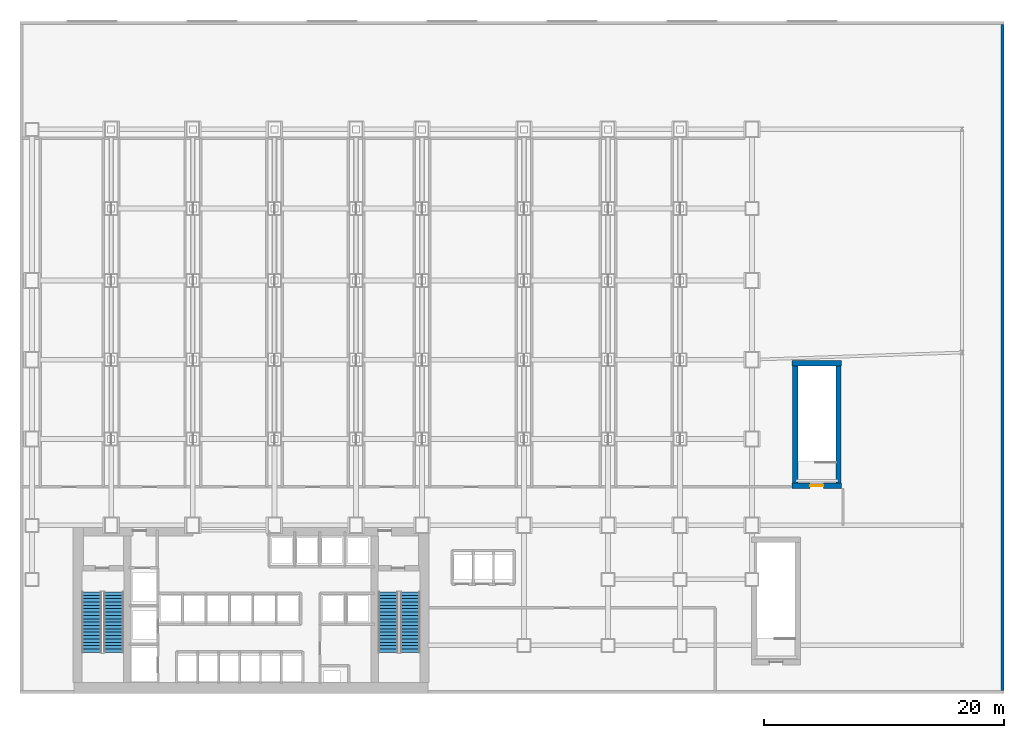
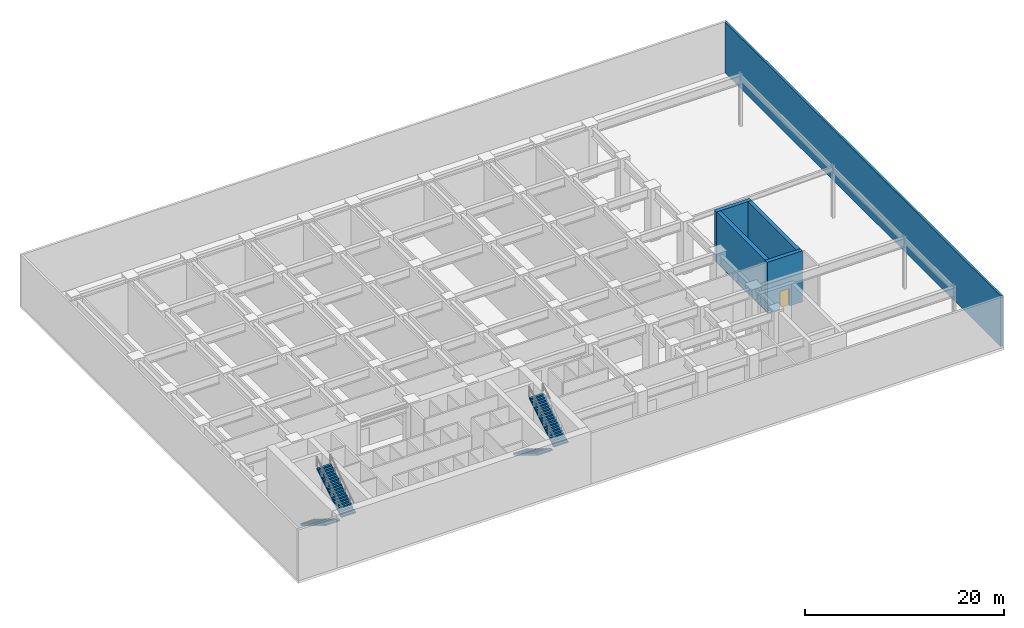
# One storey, part 13 of 15: 5 walls, 4 stair flights, 1 door, 1 opening, 2 elements without a shape of their own.
"""IFC4 building model written with IfcOpenShell, lengths in metres."""

import ifcopenshell
import ifcopenshell.guid

model = None  # the IFC model being written
_history = None  # IfcOwnerHistory: only IFC2X3 demands one
_inside = {}  # id of a spatial element -> (the spatial element, [elements in it])
_under = {}  # id of a project, library or spatial element -> (it, [spatial elements below it])
_declared = {}  # id of a project -> (the project, [libraries it declares])
_typed = {}  # id of a type object -> (the type object, [elements of that type])
_made_of = {}  # id of a material, layer set ... -> (it, [elements and type objects made of it])


def new_model(schema):
    """Start an empty IFC model of exactly this schema.

    Asked for "IFC4X3", IfcOpenShell would pick the latest addendum, in which some entities
    have other attributes; the version numbers below select the first issue.
    IFC2X3 requires an IfcOwnerHistory on every rooted entity: one is made here for all.
    """
    global model, _history
    if schema == "IFC4X3":
        model = ifcopenshell.file(schema_version=(4, 3, 0, 0))
    else:
        model = ifcopenshell.file(schema=schema)
    _inside.clear()
    _under.clear()
    _declared.clear()
    _typed.clear()
    _made_of.clear()
    _history = None
    if model.schema == "IFC2X3":
        org = make("IfcOrganization", Name="unknown")
        user = make(
            "IfcPersonAndOrganization",
            ThePerson=make("IfcPerson", FamilyName="unknown"),
            TheOrganization=org,
        )
        app = make(
            "IfcApplication",
            ApplicationDeveloper=org,
            Version="unknown",
            ApplicationFullName="unknown",
            ApplicationIdentifier="unknown",
        )
        _history = make(
            "IfcOwnerHistory",
            OwningUser=user,
            OwningApplication=app,
            ChangeAction="ADDED",
            CreationDate=0,
        )
    return model


def make(cls, **values):
    """One entity of the class cls with the attributes given. An attribute that is None is left unset."""
    return model.create_entity(
        cls, **{name: value for name, value in values.items() if value is not None}
    )


def rooted(cls, **values):
    """An entity with a GlobalId (a new one), such as an element, a storey or a relation."""
    return make(cls, GlobalId=ifcopenshell.guid.new(), OwnerHistory=_history, **values)


def si_unit(unit_type, name, prefix=None):
    """IfcSIUnit, for example si_unit("LENGTHUNIT", "METRE", prefix="MILLI")."""
    return make("IfcSIUnit", UnitType=unit_type, Prefix=prefix, Name=name)


def derived_unit(unit_type, elements):
    """IfcDerivedUnit: a product of units, each with its exponent."""
    return make(
        "IfcDerivedUnit",
        Elements=[
            make("IfcDerivedUnitElement", Unit=unit, Exponent=power)
            for unit, power in elements
        ],
        UnitType=unit_type,
    )


def assignment(units):
    """IfcUnitAssignment: the units of a project."""
    return None if units is None else make("IfcUnitAssignment", Units=units)


def point(xyz):
    """IfcCartesianPoint."""
    return None if xyz is None else make("IfcCartesianPoint", Coordinates=xyz)


def direction(xyz):
    """IfcDirection."""
    return None if xyz is None else make("IfcDirection", DirectionRatios=xyz)


def frame(location, z_axis=None, x_axis=None):
    """IfcAxis2Placement3D, a coordinate frame: its origin and axes. An axis left out is left unset."""
    return make(
        "IfcAxis2Placement3D",
        Location=point(location),
        Axis=direction(z_axis),
        RefDirection=direction(x_axis),
    )


def frame_2d(location, x_axis=None):
    """IfcAxis2Placement2D, a coordinate frame in the plane: its origin and x axis."""
    return make(
        "IfcAxis2Placement2D", Location=point(location), RefDirection=direction(x_axis)
    )


def origin():
    """The frame at (0, 0, 0) with its axes left unset."""
    return frame((0.0, 0.0, 0.0))


def place(relative_to, where):
    """IfcLocalPlacement: puts the frame where relative to a parent placement (None: the world)."""
    return make(
        "IfcLocalPlacement", PlacementRelTo=relative_to, RelativePlacement=where
    )


def context(
    kind, dimensions, precision=None, world=None, true_north=None, identifier=None
):
    """IfcGeometricRepresentationContext, for example the 3D "Model" context."""
    return make(
        "IfcGeometricRepresentationContext",
        ContextIdentifier=identifier,
        ContextType=kind,
        CoordinateSpaceDimension=dimensions,
        Precision=precision,
        WorldCoordinateSystem=world,
        TrueNorth=true_north,
    )


def subcontext(parent, identifier, kind, view, scale=None):
    """IfcGeometricRepresentationSubContext, for example "Body" below "Model"."""
    return make(
        "IfcGeometricRepresentationSubContext",
        ContextIdentifier=identifier,
        ContextType=kind,
        ParentContext=parent,
        TargetScale=scale,
        TargetView=view,
    )


def project(units=None, contexts=None):
    """IfcProject with its units and contexts."""
    return rooted(
        "IfcProject",
        Name="project",
        RepresentationContexts=contexts,
        UnitsInContext=assignment(units),
    )


def spatial(cls, under=None, at=None, **own):
    """A site, building, storey or space (cls), placed at a placement, below another one or the project."""
    s = rooted(cls, ObjectPlacement=at, **own)
    if under is not None:
        _under.setdefault(under.id(), (under, []))[1].append(s)
    return s


def polyline(points):
    """IfcPolyline through the points."""
    return make("IfcPolyline", Points=[point(p) for p in points])


def profile(cls, at=None, kind="AREA", **sizes):
    """A parametric profile (cls). Its sizes go by their IFC names, for example OverallWidth=200.0."""
    return make(cls, ProfileType=kind, Position=at, **sizes)


def rectangle(**sizes):
    """IfcRectangleProfileDef."""
    return profile("IfcRectangleProfileDef", **sizes)


def outline(outer, holes=None, kind="AREA"):
    """IfcArbitraryClosedProfileDef: a profile drawn as a closed curve; with holes, ...WithVoids."""
    if holes is None:
        return make("IfcArbitraryClosedProfileDef", ProfileType=kind, OuterCurve=outer)
    return make(
        "IfcArbitraryProfileDefWithVoids",
        ProfileType=kind,
        OuterCurve=outer,
        InnerCurves=holes,
    )


def extrude(swept, where, along, depth):
    """IfcExtrudedAreaSolid: the profile swept, set in the frame where, extruded along a direction by depth."""
    return make(
        "IfcExtrudedAreaSolid",
        SweptArea=swept,
        Position=where,
        ExtrudedDirection=direction(along),
        Depth=depth,
    )


def shape(context_of_items, identifier, shape_type, items):
    """IfcShapeRepresentation: the items that make up one representation, for example the "Body"."""
    return make(
        "IfcShapeRepresentation",
        ContextOfItems=context_of_items,
        RepresentationIdentifier=identifier,
        RepresentationType=shape_type,
        Items=items,
    )


def source(mapping_origin, context_of_items, identifier, shape_type, items):
    """IfcRepresentationMap: a shape defined once, which mapped items show again and again."""
    return make(
        "IfcRepresentationMap",
        MappingOrigin=mapping_origin,
        MappedRepresentation=shape(context_of_items, identifier, shape_type, items),
    )


def transform(
    local_origin,
    x_axis=None,
    y_axis=None,
    z_axis=None,
    scale=None,
    scale2=None,
    scale3=None,
    uniform=True,
):
    """IfcCartesianTransformationOperator3D, or its non-uniform kind. x_axis, y_axis, z_axis: its Axis1, 2, 3."""
    if uniform:
        return make(
            "IfcCartesianTransformationOperator3D",
            Axis1=direction(x_axis),
            Axis2=direction(y_axis),
            LocalOrigin=point(local_origin),
            Scale=scale,
            Axis3=direction(z_axis),
        )
    return make(
        "IfcCartesianTransformationOperator3DnonUniform",
        Axis1=direction(x_axis),
        Axis2=direction(y_axis),
        LocalOrigin=point(local_origin),
        Scale=scale,
        Axis3=direction(z_axis),
        Scale2=scale2,
        Scale3=scale3,
    )


def mapped(mapping_source, mapping_target):
    """IfcMappedItem: shows the shape of a source again, moved by a transform."""
    return make(
        "IfcMappedItem", MappingSource=mapping_source, MappingTarget=mapping_target
    )


def material(Name=None, Category=None):
    """IfcMaterial."""
    return make("IfcMaterial", Name=Name, Category=Category)


def layer(
    of_material, thickness, ventilated=None, Name=None, Category=None, Priority=None
):
    """IfcMaterialLayer: one layer of a wall or slab, of a material (None: an air gap)."""
    return make(
        "IfcMaterialLayer",
        Material=of_material,
        LayerThickness=thickness,
        IsVentilated=ventilated,
        Name=Name,
        Category=Category,
        Priority=Priority,
    )


def layer_set(layers, Name=None):
    """IfcMaterialLayerSet."""
    return make("IfcMaterialLayerSet", MaterialLayers=layers, LayerSetName=Name)


def made_of(thing, what):
    """Note that an element or type object is made of a material, layer set ...; save() writes the relation."""
    if what is not None:
        _made_of.setdefault(what.id(), (what, []))[1].append(thing)
    return thing


def type_object(cls, material=None, **own):
    """A type object (cls), such as IfcWallType, which elements share."""
    return made_of(rooted(cls, **own), material)


def element(
    cls,
    number,
    at=None,
    inside=None,
    cuts=None,
    type_object=None,
    material=None,
    context=None,
    identifier="Body",
    shape_type=None,
    held_by="IfcProductDefinitionShape",
    body=None,
    shapes=None,
    **own,
):
    """One element of the class cls, such as IfcWall. Its Tag is "e" and its number.

    at: its placement. inside: the storey or other place that contains it. cuts: it is an
    opening in that element (IfcRelVoidsElement). A single representation is given by context,
    identifier, shape_type and body (its items); several are given by shapes. held_by: the class
    of the entity that holds the representations. save() writes the other relations.
    """
    e = rooted(cls, Tag="e%d" % number, ObjectPlacement=at, **own)
    if body is not None:
        shapes = [shape(context, identifier, shape_type, body)]
    if shapes is not None:
        e.Representation = make(held_by, Representations=shapes)
    if inside is not None:
        _inside.setdefault(inside.id(), (inside, []))[1].append(e)
    if cuts is not None:
        rooted(
            "IfcRelVoidsElement", RelatingBuildingElement=cuts, RelatedOpeningElement=e
        )
    if type_object is not None:
        _typed.setdefault(type_object.id(), (type_object, []))[1].append(e)
    return made_of(e, material)


def fill(opening, filler):
    """IfcRelFillsElement: the door or window that sits in an opening."""
    return rooted(
        "IfcRelFillsElement",
        RelatingOpeningElement=opening,
        RelatedBuildingElement=filler,
    )


def aggregate(whole, parts):
    """IfcRelAggregates: a whole, such as a stair, and the parts it consists of."""
    return rooted("IfcRelAggregates", RelatingObject=whole, RelatedObjects=parts)


def save(model, path):
    """Write the relations noted so far, then the file.

    IfcRelAggregates (storeys below a building ...), IfcRelContainedInSpatialStructure (elements
    in a storey), IfcRelDefinesByType, IfcRelAssociatesMaterial and IfcRelDeclares: one each for
    every whole, place, type object, material and project.
    """
    for whole, parts in _under.values():
        aggregate(whole, parts)
    for where, things in _inside.values():
        rooted(
            "IfcRelContainedInSpatialStructure",
            RelatedElements=things,
            RelatingStructure=where,
        )
    for kind, things in _typed.values():
        rooted("IfcRelDefinesByType", RelatedObjects=things, RelatingType=kind)
    for what, things in _made_of.values():
        rooted("IfcRelAssociatesMaterial", RelatedObjects=things, RelatingMaterial=what)
    for by, libraries in _declared.values():
        rooted("IfcRelDeclares", RelatingContext=by, RelatedDefinitions=libraries)
    model.write(path)


model = new_model("IFC4")

# Units and contexts
model_context = context("Model", 3, precision=1e-05, world=origin(), true_north=direction((0.0, 1.0)))
body_context = subcontext(model_context, "Body", "Model", "MODEL_VIEW")
ifc_project = project(units=[si_unit("LENGTHUNIT", "METRE"), si_unit("AREAUNIT", "SQUARE_METRE"), si_unit("VOLUMEUNIT", "CUBIC_METRE"), si_unit("PLANEANGLEUNIT", "RADIAN"), si_unit("MASSUNIT", "GRAM", prefix="KILO"), derived_unit("THERMALTRANSMITTANCEUNIT", [(si_unit("POWERUNIT", "WATT"), 1), (si_unit("LENGTHUNIT", "METRE"), -2), (si_unit("THERMODYNAMICTEMPERATUREUNIT", "KELVIN"), -1)])], contexts=[model_context])

# Site, building, storey
site_placement = place(None, origin())
site = spatial("IfcSite", under=ifc_project, at=site_placement, CompositionType="ELEMENT")
building_placement = place(site_placement, origin())
building = spatial("IfcBuilding", under=site, at=building_placement, Name="Skarnbrae Concourse Arena and Tower", CompositionType="ELEMENT")
storey_placement = place(building_placement, frame((0.0, 0.0, 26.0)))
storey = spatial("IfcBuildingStorey", under=building, at=storey_placement, Name="L05", CompositionType="ELEMENT", Elevation=26.0)

# Walls
ifc_material_1 = material(Name="Precast concrete 40 MPa (C40/50)", Category="concrete")
ifc_layer_1 = layer(ifc_material_1, 0.25)
ifc_layer_set_1 = layer_set([ifc_layer_1], Name="Precast concrete 40 MPa (C40/50)")
wall_type_1 = type_object("IfcWallType", Name="WALL-EXT-SPANDREL-250", PredefinedType="STANDARD", material=ifc_layer_set_1)
shared_shape_1 = source(origin(), body_context, "Body", "SweptSolid", [
    extrude(rectangle(XDim=55.5, YDim=0.25, at=frame_2d((27.75, 0.0))), origin(), (0.0, 0.0, 1.0), 6.25),
])
wall_1_placement = place(storey_placement, frame((81.875, 0.25, 0.0), z_axis=(0.0, 0.0, 1.0), x_axis=(0.0, 1.0, 0.0)))
element("IfcWall", 1, at=wall_1_placement, inside=storey, type_object=wall_type_1, Name="L05 Podium exterior precast wall E", PredefinedType="STANDARD", context=body_context, shape_type="MappedRepresentation", body=[
    mapped(shared_shape_1, transform((0.0, 0.0, 0.0))),
])
ifc_material_2 = material(Name="Concrete 50 MPa (C50/60)", Category="concrete")
ifc_layer_2 = layer(ifc_material_2, 0.449951171875)
ifc_layer_set_2 = layer_set([ifc_layer_2], Name="Concrete 50 MPa (C50/60)")
wall_type_2 = type_object("IfcWallType", Name="WALL-CORE-450-C50", PredefinedType="SHEAR", material=ifc_layer_set_2)
shared_shape_2 = source(origin(), body_context, "Body", "SweptSolid", [
    extrude(rectangle(XDim=9.800048828125, YDim=0.449951171875, at=frame_2d((4.89990234375, 0.0))), origin(), (0.0, 0.0, 1.0), 6.25),
])
for number, where, z_axis, x_axis, name in (
    (2, (64.594970703125, 17.5, 0.0), (0.0, 0.0, 1.0), (0.0, 1.0, 0.0), "L05 Protected stair shaft wall ST-A2-W"),
    (3, (68.205078125, 17.5, 0.0), (0.0, 0.0, 1.0), (0.0, 1.0, 0.0), "L05 Protected stair shaft wall ST-A2-E"),
):
    element("IfcWall", number, at=place(storey_placement, frame(where, z_axis=z_axis, x_axis=x_axis)), inside=storey, type_object=wall_type_2, Name=name, PredefinedType="SHEAR", context=body_context, shape_type="MappedRepresentation", body=[
        mapped(shared_shape_2, transform((0.0, 0.0, 0.0))),
    ])

# Wall, opening, door
shared_shape_3 = source(origin(), body_context, "Body", "SweptSolid", [
    extrude(rectangle(XDim=4.099853515625, YDim=0.449951171875, at=frame_2d((2.0498046875, 0.0))), origin(), (0.0, 0.0, 1.0), 6.25),
])
wall_2_placement = place(storey_placement, frame((64.35009765625, 17.294921875, 0.0), z_axis=(0.0, 0.0, 1.0), x_axis=(1.0, 0.0, 0.0)))
wall_2 = element("IfcWall", 4, at=wall_2_placement, inside=storey, type_object=wall_type_2, Name="L05 Protected stair shaft wall ST-A2-S", PredefinedType="SHEAR", context=body_context, shape_type="MappedRepresentation", body=[
    mapped(shared_shape_3, transform((0.0, 0.0, 0.0))),
])
opening_placement = place(wall_2_placement, frame((1.5, 0.0, 0.0)))
opening = element("IfcOpeningElement", 5, at=opening_placement, cuts=wall_2, Name="Opening DT-03", PredefinedType="OPENING", context=body_context, shape_type="SweptSolid", body=[
    extrude(rectangle(XDim=1.10009765625, YDim=2.14990234375, at=frame_2d((0.550048828125, 1.074951171875))), frame((0.0, 0.23486328125, 0.0), z_axis=(0.0, -1.0, 0.0), x_axis=(1.0, 0.0, 0.0)), (0.0, 0.0, 1.0), 0.469970703125),
])
ifc_material_3 = material(Name="Steel CSA G40.21 350W", Category="steel")
door_type = type_object("IfcDoorType", Name="DOOR-FIRE-1100-90M", OperationType="NOTDEFINED", PredefinedType="DOOR", material=ifc_material_3)
shared_shape_4 = source(origin(), body_context, "Body", "SweptSolid", [
    extrude(rectangle(XDim=1.10009765625, YDim=2.14990234375, at=frame_2d((0.550048828125, 1.074951171875))), frame((0.0, 0.02490234375, 0.0), z_axis=(0.0, -1.0, 0.0), x_axis=(1.0, 0.0, 0.0)), (0.0, 0.0, 1.0), 0.050048828125),
])
door_placement = place(opening_placement, origin())
door = element("IfcDoor", 6, at=door_placement, inside=storey, type_object=door_type, Name="D-0327 Exit Stair ST-A2 Door", OperationType="SINGLE_SWING_RIGHT", OverallHeight=2.14990234375, OverallWidth=1.10009765625, PredefinedType="DOOR", context=body_context, shape_type="MappedRepresentation", body=[
    mapped(shared_shape_4, transform((0.0, 0.0, 0.0))),
])
fill(opening, door)

# Wall
wall_3_placement = place(storey_placement, frame((64.35009765625, 27.5048828125, 0.0), z_axis=(0.0, 0.0, 1.0), x_axis=(1.0, 0.0, 0.0)))
element("IfcWall", 7, at=wall_3_placement, inside=storey, type_object=wall_type_2, Name="L05 Protected stair shaft wall ST-A2-N", PredefinedType="SHEAR", context=body_context, shape_type="MappedRepresentation", body=[
    mapped(shared_shape_3, transform((0.0, 0.0, 0.0))),
])

# Stair, stair flights
ifc_material_4 = material(Name="Concrete 40 MPa (C40/50)", Category="concrete")
stair_type = type_object("IfcStairType", Name="STAIR-DOGLEG-1650", PredefinedType="HALF_TURN_STAIR", material=ifc_material_4)
stair_1_placement = place(storey_placement, origin())
stair_1 = element("IfcStair", 8, at=stair_1_placement, inside=storey, type_object=stair_type, Name="L05 Protected Exit Stair ST-1", PredefinedType="HALF_TURN_STAIR")
stair_flight_type = type_object("IfcStairFlightType", Name="FLIGHT-STRAIGHT-1650", PredefinedType="STRAIGHT", material=ifc_material_4)
shared_shape_5 = source(origin(), body_context, "Body", "SweptSolid", [
    extrude(outline(polyline([(0.0, 0.0), (0.0, 0.171142578125), (0.280029296875, 0.171142578125), (0.280029296875, 0.342041015625), (0.56005859375, 0.342041015625), (0.56005859375, 0.51318359375), (0.840087890625, 0.51318359375), (0.840087890625, 0.684326171875), (1.1201171875, 0.684326171875), (1.1201171875, 0.855224609375), (1.39990234375, 0.855224609375), (1.39990234375, 1.0263671875), (1.679931640625, 1.0263671875), (1.679931640625, 1.197265625), (1.9599609375, 1.197265625), (1.9599609375, 1.368408203125), (2.239990234375, 1.368408203125), (2.239990234375, 1.53955078125), (2.52001953125, 1.53955078125), (2.52001953125, 1.71044921875), (2.800048828125, 1.71044921875), (2.800048828125, 1.881591796875), (3.080078125, 1.881591796875), (3.080078125, 2.052734375), (3.360107421875, 2.052734375), (3.360107421875, 2.2236328125), (3.639892578125, 2.2236328125), (3.639892578125, 2.394775390625), (3.919921875, 2.394775390625), (3.919921875, 2.565673828125), (4.199951171875, 2.565673828125), (4.199951171875, 2.73681640625), (4.47998046875, 2.73681640625), (4.47998046875, 2.907958984375), (4.760009765625, 2.907958984375), (4.760009765625, 3.078857421875), (5.0400390625, 3.078857421875), (5.0400390625, 3.25), (5.0400390625, 2.9033203125), (0.28759765625, 0.0), (0.0, 0.0)])), frame((0.0, 0.824951171875, 0.0), z_axis=(0.0, -1.0, 0.0), x_axis=(1.0, 0.0, 0.0)), (0.0, 0.0, 1.0), 1.64990234375),
])
stair_flight_1_placement = place(storey_placement, frame((5.97509765625, 8.449951171875, 0.0), z_axis=(0.0, 0.0, 1.0), x_axis=(0.0, -1.0, 0.0)))
stair_flight_1 = element("IfcStairFlight", 9, at=stair_flight_1_placement, type_object=stair_flight_type, Name="ST-1 flight 1", NumberOfRisers=19, NumberOfTreads=18, PredefinedType="STRAIGHT", RiserHeight=0.171052632, TreadLength=0.28, context=body_context, shape_type="MappedRepresentation", body=[
    mapped(shared_shape_5, transform((0.0, 0.0, 0.0))),
])
stair_flight_2_placement = place(storey_placement, frame((7.824951171875, 3.409912109375, 3.25), z_axis=(0.0, 0.0, 1.0), x_axis=(0.0, 1.0, 0.0)))
stair_flight_2 = element("IfcStairFlight", 10, at=stair_flight_2_placement, type_object=stair_flight_type, Name="ST-1 flight 2", NumberOfRisers=19, NumberOfTreads=18, PredefinedType="STRAIGHT", RiserHeight=0.171052632, TreadLength=0.28, context=body_context, shape_type="MappedRepresentation", body=[
    mapped(shared_shape_5, transform((0.0, 0.0, 0.0))),
])
aggregate(stair_1, [stair_flight_1, stair_flight_2])

stair_2_placement = place(storey_placement, origin())
stair_2 = element("IfcStair", 11, at=stair_2_placement, inside=storey, type_object=stair_type, Name="L05 Protected Exit Stair ST-2", PredefinedType="HALF_TURN_STAIR")
stair_flight_3_placement = place(storey_placement, frame((30.675048828125, 8.449951171875, 0.0), z_axis=(0.0, 0.0, 1.0), x_axis=(0.0, -1.0, 0.0)))
stair_flight_3 = element("IfcStairFlight", 12, at=stair_flight_3_placement, type_object=stair_flight_type, Name="ST-2 flight 1", NumberOfRisers=19, NumberOfTreads=18, PredefinedType="STRAIGHT", RiserHeight=0.171052632, TreadLength=0.28, context=body_context, shape_type="MappedRepresentation", body=[
    mapped(shared_shape_5, transform((0.0, 0.0, 0.0))),
])
stair_flight_4_placement = place(storey_placement, frame((32.52490234375, 3.409912109375, 3.25), z_axis=(0.0, 0.0, 1.0), x_axis=(0.0, 1.0, 0.0)))
stair_flight_4 = element("IfcStairFlight", 13, at=stair_flight_4_placement, type_object=stair_flight_type, Name="ST-2 flight 2", NumberOfRisers=19, NumberOfTreads=18, PredefinedType="STRAIGHT", RiserHeight=0.171052632, TreadLength=0.28, context=body_context, shape_type="MappedRepresentation", body=[
    mapped(shared_shape_5, transform((0.0, 0.0, 0.0))),
])
aggregate(stair_2, [stair_flight_3, stair_flight_4])

save(model, "model.ifc")
